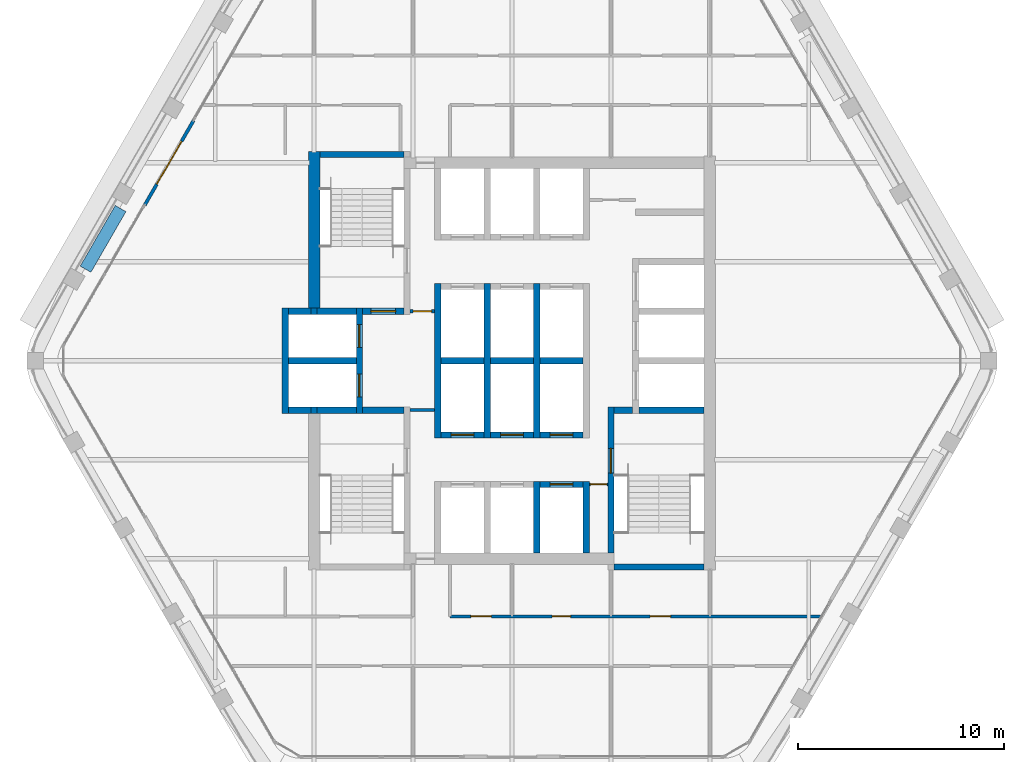
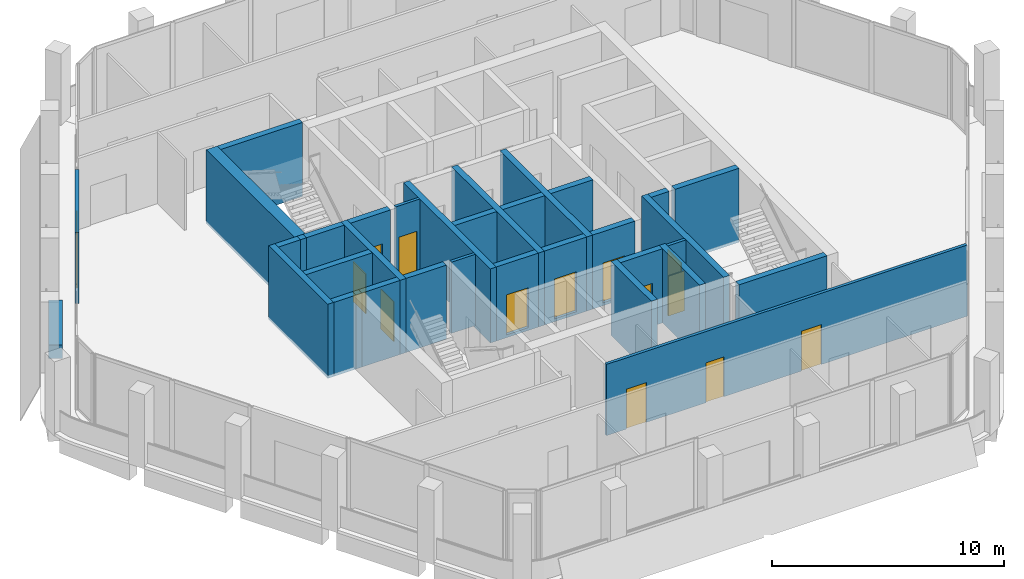
# One storey, part 8 of 14: 35 walls, 14 doors, 14 openings.
"""IFC4 building model written with IfcOpenShell, lengths in metres."""

from ifc_helpers import new_model, si_unit, direction, frame, frame_2d, origin, place, context, subcontext, project, spatial, rectangle, extrude, material, layer, layer_set, type_object, element, fill, save


model = new_model("IFC4")

# Units and contexts
model_context = context("Model", 3, precision=1e-05, world=origin(), true_north=direction((0.0, 1.0)))
body_context = subcontext(model_context, "Body", "Model", "MODEL_VIEW")
ifc_project = project(units=[si_unit("LENGTHUNIT", "METRE"), si_unit("AREAUNIT", "SQUARE_METRE"), si_unit("VOLUMEUNIT", "CUBIC_METRE"), si_unit("PLANEANGLEUNIT", "RADIAN"), si_unit("MASSUNIT", "GRAM", prefix="KILO")], contexts=[model_context])

# Site, building, storey
site_placement = place(None, origin())
site = spatial("IfcSite", under=ifc_project, at=site_placement, CompositionType="ELEMENT")
building_placement = place(site_placement, origin())
building = spatial("IfcBuilding", under=site, at=building_placement, Name="Kolab Exchange Tower", CompositionType="ELEMENT")
storey_placement = place(building_placement, frame((0.0, 0.0, 242.300048828125)))
storey = spatial("IfcBuildingStorey", under=building, at=storey_placement, Name="L53", CompositionType="ELEMENT", Elevation=242.300048828125)

# Wall
ifc_material_1 = material(Name="Concrete C50/60", Category="concrete")
ifc_layer_1 = layer(ifc_material_1, 0.550048828125)
ifc_layer_set_1 = layer_set([ifc_layer_1], Name="Concrete C50/60")
wall_type_1 = type_object("IfcWallType", Name="CORE WALL 550 C50/60", PredefinedType="SHEAR", material=ifc_layer_set_1)
wall_1_placement = place(storey_placement, frame((-9.60009765625, 2.550048828125, -0.150146484375), z_axis=(0.0, 0.0, 1.0), x_axis=(0.0, 1.0, 0.0)))
element("IfcWall", 1, at=wall_1_placement, inside=storey, type_object=wall_type_1, Name="wall/L53/core/037", PredefinedType="SHEAR", context=body_context, shape_type="SweptSolid", body=[
    extrude(rectangle(XDim=7.599853515625, YDim=0.550048828125, at=frame_2d((3.7998046875, 0.0))), origin(), (0.0, 0.0, 1.0), 3.900146484375),
])

# Wall, opening, door
ifc_material_2 = material(Name="Aluminium EN AW-6063 T6", Category="aluminium")
ifc_layer_2 = layer(ifc_material_2, 0.159912109375)
ifc_layer_set_2 = layer_set([ifc_layer_2], Name="Aluminium EN AW-6063 T6")
wall_type_2 = type_object("IfcWallType", Name="DOOR SURROUND WALL 160 ALUMINIUM FRAMED", PredefinedType="PARTITIONING", material=ifc_layer_set_2)
wall_2_placement = place(storey_placement, frame((-17.816650390625, 7.5498046875, 0.0), z_axis=(0.0, 0.0, 1.0), x_axis=(0.499978080042, 0.866038058908, 0.0)))
wall_2 = element("IfcWall", 2, at=wall_2_placement, inside=storey, type_object=wall_type_2, Name="Door surround wall", PredefinedType="PARTITIONING", context=body_context, shape_type="SweptSolid", body=[
    extrude(rectangle(XDim=4.739990234375, YDim=0.159912109375, at=frame_2d((2.3701171875, 0.0))), origin(), (0.0, 0.0, 1.0), 3.75),
])
opening_1_placement = place(wall_2_placement, frame((1.169921875, 0.0, 0.0)))
opening_1 = element("IfcOpeningElement", 3, at=opening_1_placement, cuts=wall_2, Name="Opening GD1-094", PredefinedType="OPENING", context=body_context, shape_type="SweptSolid", body=[
    extrude(rectangle(XDim=2.39990234375, YDim=2.39990234375, at=frame_2d((1.199951171875, 1.199951171875))), frame((0.0, 0.08984375, 0.0), z_axis=(0.0, -1.0, 0.0), x_axis=(1.0, 0.0, 0.0)), (0.0, 0.0, 1.0), 0.179931640625),
])
door_type_1 = type_object("IfcDoorType", Name="LOGGIA SLIDING GLASS DOOR 2400 X 2400", OperationType="DOUBLE_DOOR_SINGLE_SWING", PredefinedType="DOOR", material=ifc_material_2)
door_1_placement = place(opening_1_placement, origin())
door_1 = element("IfcDoor", 4, at=door_1_placement, inside=storey, type_object=door_type_1, Name="Loggia door", OperationType="DOUBLE_DOOR_SLIDING", OverallHeight=2.39990234375, OverallWidth=2.39990234375, PredefinedType="DOOR", context=body_context, shape_type="SweptSolid", body=[
    extrude(rectangle(XDim=2.39990234375, YDim=2.39990234375, at=frame_2d((1.199951171875, 1.199951171875))), frame((0.0, 0.02490234375, 0.0), z_axis=(0.0, -1.0, 0.0), x_axis=(1.0, 0.0, 0.0)), (0.0, 0.0, 1.0), 0.050048828125),
])
fill(opening_1, door_1)

ifc_layer_3 = layer(ifc_material_1, 0.300048828125)
ifc_layer_set_3 = layer_set([ifc_layer_3], Name="Concrete C50/60")
wall_type_3 = type_object("IfcWallType", Name="LIFT SHAFT WALL 300 C50/60", PredefinedType="STANDARD", material=ifc_layer_set_3)
wall_3_placement = place(storey_placement, frame((1.35009765625, -6.0, -0.150146484375), z_axis=(0.0, 0.0, 1.0), x_axis=(1.0, 0.0, 0.0)))
wall_3 = element("IfcWall", 5, at=wall_3_placement, inside=storey, type_object=wall_type_3, Name="wall/L53/core/005", PredefinedType="STANDARD", context=body_context, shape_type="SweptSolid", body=[
    extrude(rectangle(XDim=2.099853515625, YDim=0.300048828125, at=frame_2d((1.0498046875, 0.0))), origin(), (0.0, 0.0, 1.0), 3.900146484375),
])
opening_2_placement = place(wall_3_placement, frame((0.5, 0.0, 0.14990234375)))
opening_2 = element("IfcOpeningElement", 6, at=opening_2_placement, cuts=wall_3, Name="Opening LD1-112", PredefinedType="OPENING", context=body_context, shape_type="SweptSolid", body=[
    extrude(rectangle(XDim=1.10009765625, YDim=2.10009765625, at=frame_2d((0.550048828125, 1.050048828125))), frame((0.0, 0.16015625, 0.0), z_axis=(0.0, -1.0, 0.0), x_axis=(1.0, 0.0, 0.0)), (0.0, 0.0, 1.0), 0.320068359375),
])
ifc_material_3 = material(Name="Stainless steel 316", Category="steel")
door_type_2 = type_object("IfcDoorType", Name="LANDING DOOR 1100 PASSENGER", OperationType="DOUBLE_DOOR_SLIDING", PredefinedType="DOOR", material=ifc_material_3)
door_2_placement = place(opening_2_placement, origin())
door_2 = element("IfcDoor", 7, at=door_2_placement, inside=storey, type_object=door_type_2, Name="Landing door HR12", OperationType="DOUBLE_DOOR_SLIDING", OverallHeight=2.10009765625, OverallWidth=1.10009765625, PredefinedType="DOOR", context=body_context, shape_type="SweptSolid", body=[
    extrude(rectangle(XDim=1.10009765625, YDim=2.10009765625, at=frame_2d((0.550048828125, 1.050048828125))), frame((0.0, 0.02490234375, 0.0), z_axis=(0.0, -1.0, 0.0), x_axis=(1.0, 0.0, 0.0)), (0.0, 0.0, 1.0), 0.050048828125),
])
fill(opening_2, door_2)

wall_4_placement = place(storey_placement, frame((-3.449951171875, -3.60009765625, -0.150146484375), z_axis=(0.0, 0.0, 1.0), x_axis=(1.0, 0.0, 0.0)))
wall_4 = element("IfcWall", 8, at=wall_4_placement, inside=storey, type_object=wall_type_3, Name="wall/L53/core/006", PredefinedType="STANDARD", context=body_context, shape_type="SweptSolid", body=[
    extrude(rectangle(XDim=2.099853515625, YDim=0.300048828125, at=frame_2d((1.0498046875, 0.0))), origin(), (0.0, 0.0, 1.0), 3.900146484375),
])
opening_3_placement = place(wall_4_placement, frame((0.5, 0.0, 0.14990234375)))
opening_3 = element("IfcOpeningElement", 9, at=opening_3_placement, cuts=wall_4, Name="Opening LD1-118", PredefinedType="OPENING", context=body_context, shape_type="SweptSolid", body=[
    extrude(rectangle(XDim=1.10009765625, YDim=2.10009765625, at=frame_2d((0.550048828125, 1.050048828125))), frame((0.0, 0.16015625, 0.0), z_axis=(0.0, -1.0, 0.0), x_axis=(1.0, 0.0, 0.0)), (0.0, 0.0, 1.0), 0.320068359375),
])
door_3_placement = place(opening_3_placement, origin())
door_3 = element("IfcDoor", 10, at=door_3_placement, inside=storey, type_object=door_type_2, Name="Landing door HR7", OperationType="DOUBLE_DOOR_SLIDING", OverallHeight=2.10009765625, OverallWidth=1.10009765625, PredefinedType="DOOR", context=body_context, shape_type="SweptSolid", body=[
    extrude(rectangle(XDim=1.10009765625, YDim=2.10009765625, at=frame_2d((0.550048828125, 1.050048828125))), frame((0.0, 0.02490234375, 0.0), z_axis=(0.0, -1.0, 0.0), x_axis=(1.0, 0.0, 0.0)), (0.0, 0.0, 1.0), 0.050048828125),
])
fill(opening_3, door_3)

wall_5_placement = place(storey_placement, frame((-1.050048828125, -3.60009765625, -0.150146484375), z_axis=(0.0, 0.0, 1.0), x_axis=(1.0, 0.0, 0.0)))
wall_5 = element("IfcWall", 11, at=wall_5_placement, inside=storey, type_object=wall_type_3, Name="wall/L53/core/007", PredefinedType="STANDARD", context=body_context, shape_type="SweptSolid", body=[
    extrude(rectangle(XDim=2.10009765625, YDim=0.300048828125, at=frame_2d((1.050048828125, 0.0))), origin(), (0.0, 0.0, 1.0), 3.900146484375),
])
opening_4_placement = place(wall_5_placement, frame((0.5, 0.0, 0.14990234375)))
opening_4 = element("IfcOpeningElement", 12, at=opening_4_placement, cuts=wall_5, Name="Opening LD1-119", PredefinedType="OPENING", context=body_context, shape_type="SweptSolid", body=[
    extrude(rectangle(XDim=1.10009765625, YDim=2.10009765625, at=frame_2d((0.550048828125, 1.050048828125))), frame((0.0, 0.16015625, 0.0), z_axis=(0.0, -1.0, 0.0), x_axis=(1.0, 0.0, 0.0)), (0.0, 0.0, 1.0), 0.320068359375),
])
door_4_placement = place(opening_4_placement, origin())
door_4 = element("IfcDoor", 13, at=door_4_placement, inside=storey, type_object=door_type_2, Name="Landing door HR8", OperationType="DOUBLE_DOOR_SLIDING", OverallHeight=2.10009765625, OverallWidth=1.10009765625, PredefinedType="DOOR", context=body_context, shape_type="SweptSolid", body=[
    extrude(rectangle(XDim=1.10009765625, YDim=2.10009765625, at=frame_2d((0.550048828125, 1.050048828125))), frame((0.0, 0.02490234375, 0.0), z_axis=(0.0, -1.0, 0.0), x_axis=(1.0, 0.0, 0.0)), (0.0, 0.0, 1.0), 0.050048828125),
])
fill(opening_4, door_4)

wall_6_placement = place(storey_placement, frame((1.35009765625, -3.60009765625, -0.150146484375), z_axis=(0.0, 0.0, 1.0), x_axis=(1.0, 0.0, 0.0)))
wall_6 = element("IfcWall", 14, at=wall_6_placement, inside=storey, type_object=wall_type_3, Name="wall/L53/core/008", PredefinedType="STANDARD", context=body_context, shape_type="SweptSolid", body=[
    extrude(rectangle(XDim=2.099853515625, YDim=0.300048828125, at=frame_2d((1.0498046875, 0.0))), origin(), (0.0, 0.0, 1.0), 3.900146484375),
])
opening_5_placement = place(wall_6_placement, frame((0.5, 0.0, 0.14990234375)))
opening_5 = element("IfcOpeningElement", 15, at=opening_5_placement, cuts=wall_6, Name="Opening LD1-120", PredefinedType="OPENING", context=body_context, shape_type="SweptSolid", body=[
    extrude(rectangle(XDim=1.10009765625, YDim=2.10009765625, at=frame_2d((0.550048828125, 1.050048828125))), frame((0.0, 0.16015625, 0.0), z_axis=(0.0, -1.0, 0.0), x_axis=(1.0, 0.0, 0.0)), (0.0, 0.0, 1.0), 0.320068359375),
])
door_5_placement = place(opening_5_placement, origin())
door_5 = element("IfcDoor", 16, at=door_5_placement, inside=storey, type_object=door_type_2, Name="Landing door HR9", OperationType="DOUBLE_DOOR_SLIDING", OverallHeight=2.10009765625, OverallWidth=1.10009765625, PredefinedType="DOOR", context=body_context, shape_type="SweptSolid", body=[
    extrude(rectangle(XDim=1.10009765625, YDim=2.10009765625, at=frame_2d((0.550048828125, 1.050048828125))), frame((0.0, 0.02490234375, 0.0), z_axis=(0.0, -1.0, 0.0), x_axis=(1.0, 0.0, 0.0)), (0.0, 0.0, 1.0), 0.050048828125),
])
fill(opening_5, door_5)

# Walls
wall_7_placement = place(storey_placement, frame((-10.85009765625, -2.39990234375, -0.150146484375), z_axis=(0.0, 0.0, 1.0), x_axis=(1.0, 0.0, 0.0)))
element("IfcWall", 17, at=wall_7_placement, inside=storey, type_object=wall_type_3, Name="wall/L53/core/009", PredefinedType="STANDARD", context=body_context, shape_type="SweptSolid", body=[
    extrude(rectangle(XDim=1.10009765625, YDim=0.300048828125, at=frame_2d((0.550048828125, 0.0))), origin(), (0.0, 0.0, 1.0), 3.900146484375),
])
wall_8_placement = place(storey_placement, frame((-10.85009765625, 0.0, -0.150146484375), z_axis=(0.0, 0.0, 1.0), x_axis=(1.0, 0.0, 0.0)))
element("IfcWall", 18, at=wall_8_placement, inside=storey, type_object=wall_type_3, Name="wall/L53/core/014", PredefinedType="STANDARD", context=body_context, shape_type="SweptSolid", body=[
    extrude(rectangle(XDim=3.300048828125, YDim=0.300048828125, at=frame_2d((1.64990234375, 0.0))), origin(), (0.0, 0.0, 1.0), 3.900146484375),
])
wall_9_placement = place(storey_placement, frame((-3.449951171875, 0.0, -0.150146484375), z_axis=(0.0, 0.0, 1.0), x_axis=(1.0, 0.0, 0.0)))
element("IfcWall", 19, at=wall_9_placement, inside=storey, type_object=wall_type_3, Name="wall/L53/core/015", PredefinedType="STANDARD", context=body_context, shape_type="SweptSolid", body=[
    extrude(rectangle(XDim=2.099853515625, YDim=0.300048828125, at=frame_2d((1.0498046875, 0.0))), origin(), (0.0, 0.0, 1.0), 3.900146484375),
])
wall_10_placement = place(storey_placement, frame((-1.050048828125, 0.0, -0.150146484375), z_axis=(0.0, 0.0, 1.0), x_axis=(1.0, 0.0, 0.0)))
element("IfcWall", 20, at=wall_10_placement, inside=storey, type_object=wall_type_3, Name="wall/L53/core/016", PredefinedType="STANDARD", context=body_context, shape_type="SweptSolid", body=[
    extrude(rectangle(XDim=2.10009765625, YDim=0.300048828125, at=frame_2d((1.050048828125, 0.0))), origin(), (0.0, 0.0, 1.0), 3.900146484375),
])
wall_11_placement = place(storey_placement, frame((1.35009765625, 0.0, -0.150146484375), z_axis=(0.0, 0.0, 1.0), x_axis=(1.0, 0.0, 0.0)))
element("IfcWall", 21, at=wall_11_placement, inside=storey, type_object=wall_type_3, Name="wall/L53/core/017", PredefinedType="STANDARD", context=body_context, shape_type="SweptSolid", body=[
    extrude(rectangle(XDim=2.099853515625, YDim=0.300048828125, at=frame_2d((1.0498046875, 0.0))), origin(), (0.0, 0.0, 1.0), 3.900146484375),
])
wall_12_placement = place(storey_placement, frame((-10.85009765625, 2.39990234375, -0.150146484375), z_axis=(0.0, 0.0, 1.0), x_axis=(1.0, 0.0, 0.0)))
element("IfcWall", 22, at=wall_12_placement, inside=storey, type_object=wall_type_3, Name="wall/L53/core/019", PredefinedType="STANDARD", context=body_context, shape_type="SweptSolid", body=[
    extrude(rectangle(XDim=1.10009765625, YDim=0.300048828125, at=frame_2d((0.550048828125, 0.0))), origin(), (0.0, 0.0, 1.0), 3.900146484375),
])
wall_13_placement = place(storey_placement, frame((-11.0, -2.550048828125, -0.150146484375), z_axis=(0.0, 0.0, 1.0), x_axis=(0.0, 1.0, 0.0)))
element("IfcWall", 23, at=wall_13_placement, inside=storey, type_object=wall_type_3, Name="wall/L53/core/033", PredefinedType="STANDARD", context=body_context, shape_type="SweptSolid", body=[
    extrude(rectangle(XDim=5.10009765625, YDim=0.300048828125, at=frame_2d((2.550048828125, 0.0))), origin(), (0.0, 0.0, 1.0), 3.900146484375),
])

# Wall, openings, doors
wall_14_placement = place(storey_placement, frame((-7.39990234375, -2.550048828125, -0.150146484375), z_axis=(0.0, 0.0, 1.0), x_axis=(0.0, 1.0, 0.0)))
wall_14 = element("IfcWall", 24, at=wall_14_placement, inside=storey, type_object=wall_type_3, Name="wall/L53/core/038", PredefinedType="STANDARD", context=body_context, shape_type="SweptSolid", body=[
    extrude(rectangle(XDim=5.10009765625, YDim=0.300048828125, at=frame_2d((2.550048828125, 0.0))), origin(), (0.0, 0.0, 1.0), 3.900146484375),
])
opening_6_placement = place(wall_14_placement, frame((0.800048828125, 0.0, 0.14990234375)))
opening_6 = element("IfcOpeningElement", 25, at=opening_6_placement, cuts=wall_14, Name="Opening LD2-025", PredefinedType="OPENING", context=body_context, shape_type="SweptSolid", body=[
    extrude(rectangle(XDim=1.10009765625, YDim=2.10009765625, at=frame_2d((0.550048828125, 1.050048828125))), frame((0.0, 0.16015625, 0.0), z_axis=(0.0, -1.0, 0.0), x_axis=(1.0, 0.0, 0.0)), (0.0, 0.0, 1.0), 0.320068359375),
])
opening_7_placement = place(wall_14_placement, frame((3.199951171875, 0.0, 0.14990234375)))
opening_7 = element("IfcOpeningElement", 26, at=opening_7_placement, cuts=wall_14, Name="Opening LD2-026", PredefinedType="OPENING", context=body_context, shape_type="SweptSolid", body=[
    extrude(rectangle(XDim=1.10009765625, YDim=2.10009765625, at=frame_2d((0.550048828125, 1.050048828125))), frame((0.0, 0.16015625, 0.0), z_axis=(0.0, -1.0, 0.0), x_axis=(1.0, 0.0, 0.0)), (0.0, 0.0, 1.0), 0.320068359375),
])
door_type_3 = type_object("IfcDoorType", Name="LANDING DOOR 1100 FIREFIGHTING", OperationType="DOUBLE_DOOR_SLIDING", PredefinedType="DOOR", material=ifc_material_3)
door_6_placement = place(opening_6_placement, origin())
door_6 = element("IfcDoor", 27, at=door_6_placement, inside=storey, type_object=door_type_3, Name="Landing door FF1", OperationType="DOUBLE_DOOR_SLIDING", OverallHeight=2.10009765625, OverallWidth=1.10009765625, PredefinedType="DOOR", context=body_context, shape_type="SweptSolid", body=[
    extrude(rectangle(XDim=1.10009765625, YDim=2.10009765625, at=frame_2d((0.550048828125, 1.050048828125))), frame((0.0, 0.02490234375, 0.0), z_axis=(0.0, -1.0, 0.0), x_axis=(1.0, 0.0, 0.0)), (0.0, 0.0, 1.0), 0.050048828125),
])
fill(opening_6, door_6)
door_7_placement = place(opening_7_placement, origin())
door_7 = element("IfcDoor", 28, at=door_7_placement, inside=storey, type_object=door_type_3, Name="Landing door FF2", OperationType="DOUBLE_DOOR_SLIDING", OverallHeight=2.10009765625, OverallWidth=1.10009765625, PredefinedType="DOOR", context=body_context, shape_type="SweptSolid", body=[
    extrude(rectangle(XDim=1.10009765625, YDim=2.10009765625, at=frame_2d((0.550048828125, 1.050048828125))), frame((0.0, 0.02490234375, 0.0), z_axis=(0.0, -1.0, 0.0), x_axis=(1.0, 0.0, 0.0)), (0.0, 0.0, 1.0), 0.050048828125),
])
fill(opening_7, door_7)

# Walls
for number, where, z_axis, x_axis, name in (
    (29, (-3.60009765625, -3.75, -0.150146484375), (0.0, 0.0, 1.0), (0.0, 1.0, 0.0), "wall/L53/core/044"),
    (30, (-1.199951171875, -3.75, -0.150146484375), (0.0, 0.0, 1.0), (0.0, 1.0, 0.0), "wall/L53/core/047"),
):
    element("IfcWall", number, at=place(storey_placement, frame(where, z_axis=z_axis, x_axis=x_axis)), inside=storey, type_object=wall_type_3, Name=name, PredefinedType="STANDARD", context=body_context, shape_type="SweptSolid", body=[
        extrude(rectangle(XDim=7.5, YDim=0.300048828125, at=frame_2d((3.75, 0.0))), origin(), (0.0, 0.0, 1.0), 3.900146484375),
    ])
wall_15_placement = place(storey_placement, frame((1.199951171875, -9.324951171875, -0.150146484375), z_axis=(0.0, 0.0, 1.0), x_axis=(0.0, 1.0, 0.0)))
element("IfcWall", 31, at=wall_15_placement, inside=storey, type_object=wall_type_3, Name="wall/L53/core/049", PredefinedType="STANDARD", context=body_context, shape_type="SweptSolid", body=[
    extrude(rectangle(XDim=3.474853515625, YDim=0.300048828125, at=frame_2d((1.7373046875, 0.0))), origin(), (0.0, 0.0, 1.0), 3.900146484375),
])
wall_16_placement = place(storey_placement, frame((1.199951171875, -3.75, -0.150146484375), z_axis=(0.0, 0.0, 1.0), x_axis=(0.0, 1.0, 0.0)))
element("IfcWall", 32, at=wall_16_placement, inside=storey, type_object=wall_type_3, Name="wall/L53/core/050", PredefinedType="STANDARD", context=body_context, shape_type="SweptSolid", body=[
    extrude(rectangle(XDim=7.5, YDim=0.300048828125, at=frame_2d((3.75, 0.0))), origin(), (0.0, 0.0, 1.0), 3.900146484375),
])
wall_17_placement = place(storey_placement, frame((3.60009765625, -9.324951171875, -0.150146484375), z_axis=(0.0, 0.0, 1.0), x_axis=(0.0, 1.0, 0.0)))
element("IfcWall", 33, at=wall_17_placement, inside=storey, type_object=wall_type_3, Name="wall/L53/core/052", PredefinedType="STANDARD", context=body_context, shape_type="SweptSolid", body=[
    extrude(rectangle(XDim=3.474853515625, YDim=0.300048828125, at=frame_2d((1.7373046875, 0.0))), origin(), (0.0, 0.0, 1.0), 3.900146484375),
])

# Wall, openings, doors
ifc_material_4 = material(Name="Gypsum board", Category="gypsum")
ifc_layer_4 = layer(ifc_material_4, 0.14990234375)
ifc_layer_set_4 = layer_set([ifc_layer_4], Name="Gypsum board")
wall_type_4 = type_object("IfcWallType", Name="PARTITION 150 FIRE-RATED", PredefinedType="PARTITIONING", material=ifc_layer_set_4)
wall_18_placement = place(storey_placement, frame((-3.0, -12.39990234375, 0.0), z_axis=(0.0, 0.0, 1.0), x_axis=(1.0, 0.0, 0.0)))
wall_18 = element("IfcWall", 34, at=wall_18_placement, inside=storey, type_object=wall_type_4, Name="Partition 021", PredefinedType="PARTITIONING", context=body_context, shape_type="SweptSolid", body=[
    extrude(rectangle(XDim=17.97021484375, YDim=0.14990234375, at=frame_2d((8.985107421875, 0.0))), origin(), (0.0, 0.0, 1.0), 3.75),
])
opening_8_placement = place(wall_18_placement, frame((1.0, 0.0, 0.0)))
opening_8 = element("IfcOpeningElement", 35, at=opening_8_placement, cuts=wall_18, Name="Opening D1-675", PredefinedType="OPENING", context=body_context, shape_type="SweptSolid", body=[
    extrude(rectangle(XDim=1.0, YDim=2.10009765625, at=frame_2d((0.5, 1.050048828125))), frame((0.0, 0.0849609375, 0.0), z_axis=(0.0, -1.0, 0.0), x_axis=(1.0, 0.0, 0.0)), (0.0, 0.0, 1.0), 0.169921875),
])
opening_9_placement = place(wall_18_placement, frame((4.949951171875, 0.0, 0.0)))
opening_9 = element("IfcOpeningElement", 36, at=opening_9_placement, cuts=wall_18, Name="Opening D3-080", PredefinedType="OPENING", context=body_context, shape_type="SweptSolid", body=[
    extrude(rectangle(XDim=0.89990234375, YDim=2.10009765625, at=frame_2d((0.449951171875, 1.050048828125))), frame((0.0, 0.0849609375, 0.0), z_axis=(0.0, -1.0, 0.0), x_axis=(1.0, 0.0, 0.0)), (0.0, 0.0, 1.0), 0.169921875),
])
opening_10_placement = place(wall_18_placement, frame((9.699951171875, 0.0, 0.0)))
opening_10 = element("IfcOpeningElement", 37, at=opening_10_placement, cuts=wall_18, Name="Opening D1-676", PredefinedType="OPENING", context=body_context, shape_type="SweptSolid", body=[
    extrude(rectangle(XDim=1.0, YDim=2.10009765625, at=frame_2d((0.5, 1.050048828125))), frame((0.0, 0.0849609375, 0.0), z_axis=(0.0, -1.0, 0.0), x_axis=(1.0, 0.0, 0.0)), (0.0, 0.0, 1.0), 0.169921875),
])
ifc_material_5 = material(Name="Steel S235", Category="steel")
door_type_4 = type_object("IfcDoorType", Name="FLUSH DOOR 1000 FD60", OperationType="SINGLE_SWING_LEFT", PredefinedType="DOOR", material=ifc_material_5)
door_8_placement = place(opening_8_placement, origin())
door_8 = element("IfcDoor", 38, at=door_8_placement, inside=storey, type_object=door_type_4, Name="Door L53-035", OperationType="SINGLE_SWING_LEFT", OverallHeight=2.10009765625, OverallWidth=1.0, PredefinedType="DOOR", context=body_context, shape_type="SweptSolid", body=[
    extrude(rectangle(XDim=1.0, YDim=2.10009765625, at=frame_2d((0.5, 1.050048828125))), frame((0.0, 0.02490234375, 0.0), z_axis=(0.0, -1.0, 0.0), x_axis=(1.0, 0.0, 0.0)), (0.0, 0.0, 1.0), 0.050048828125),
])
fill(opening_8, door_8)
door_9_placement = place(opening_10_placement, origin())
door_9 = element("IfcDoor", 39, at=door_9_placement, inside=storey, type_object=door_type_4, Name="Door L53-037", OperationType="SINGLE_SWING_LEFT", OverallHeight=2.10009765625, OverallWidth=1.0, PredefinedType="DOOR", context=body_context, shape_type="SweptSolid", body=[
    extrude(rectangle(XDim=1.0, YDim=2.10009765625, at=frame_2d((0.5, 1.050048828125))), frame((0.0, 0.02490234375, 0.0), z_axis=(0.0, -1.0, 0.0), x_axis=(1.0, 0.0, 0.0)), (0.0, 0.0, 1.0), 0.050048828125),
])
fill(opening_10, door_9)
door_type_5 = type_object("IfcDoorType", Name="FLUSH DOOR 900 FD60", OperationType="SINGLE_SWING_LEFT", PredefinedType="DOOR", material=ifc_material_5)
door_10_placement = place(opening_9_placement, origin())
door_10 = element("IfcDoor", 40, at=door_10_placement, inside=storey, type_object=door_type_5, Name="Door L53-036", OperationType="SINGLE_SWING_RIGHT", OverallHeight=2.10009765625, OverallWidth=0.89990234375, PredefinedType="DOOR", context=body_context, shape_type="SweptSolid", body=[
    extrude(rectangle(XDim=0.89990234375, YDim=2.10009765625, at=frame_2d((0.449951171875, 1.050048828125))), frame((0.0, 0.02490234375, 0.0), z_axis=(0.0, -1.0, 0.0), x_axis=(1.0, 0.0, 0.0)), (0.0, 0.0, 1.0), 0.050048828125),
])
fill(opening_9, door_10)

# Wall, opening, door
wall_19_placement = place(storey_placement, frame((3.75, -6.0, 0.0), z_axis=(0.0, 0.0, 1.0), x_axis=(1.0, 0.0, 0.0)))
wall_19 = element("IfcWall", 41, at=wall_19_placement, inside=storey, type_object=wall_type_4, Name="Partition 022", PredefinedType="PARTITIONING", context=body_context, shape_type="SweptSolid", body=[
    extrude(rectangle(XDim=0.89990234375, YDim=0.14990234375, at=frame_2d((0.449951171875, 0.0))), origin(), (0.0, 0.0, 1.0), 3.75),
])
opening_11_placement = place(wall_19_placement, frame((0.050048828125, 0.0, 0.0)))
opening_11 = element("IfcOpeningElement", 42, at=opening_11_placement, cuts=wall_19, Name="Opening D7-041", PredefinedType="OPENING", context=body_context, shape_type="SweptSolid", body=[
    extrude(rectangle(XDim=0.800048828125, YDim=2.10009765625, at=frame_2d((0.39990234375, 1.050048828125))), frame((0.0, 0.0849609375, 0.0), z_axis=(0.0, -1.0, 0.0), x_axis=(1.0, 0.0, 0.0)), (0.0, 0.0, 1.0), 0.169921875),
])
door_type_6 = type_object("IfcDoorType", Name="FLUSH DOOR 800 FD60", OperationType="SINGLE_SWING_LEFT", PredefinedType="DOOR", material=ifc_material_5)
door_11_placement = place(opening_11_placement, frame((0.800048828125, 0.0, 0.0), z_axis=(0.0, 0.0, 1.0), x_axis=(-1.0, 0.0, 0.0)))
door_11 = element("IfcDoor", 43, at=door_11_placement, inside=storey, type_object=door_type_6, Name="Door L53-024", OperationType="SINGLE_SWING_RIGHT", OverallHeight=2.10009765625, OverallWidth=0.800048828125, PredefinedType="DOOR", context=body_context, shape_type="SweptSolid", body=[
    extrude(rectangle(XDim=0.800048828125, YDim=2.10009765625, at=frame_2d((0.39990234375, 1.050048828125))), frame((0.0, 0.02490234375, 0.0), z_axis=(0.0, -1.0, 0.0), x_axis=(1.0, 0.0, 0.0)), (0.0, 0.0, 1.0), 0.050048828125),
])
fill(opening_11, door_11)

wall_20_placement = place(storey_placement, frame((-4.949951171875, 2.39990234375, 0.0), z_axis=(0.0, 0.0, 1.0), x_axis=(1.0, 0.0, 0.0)))
wall_20 = element("IfcWall", 44, at=wall_20_placement, inside=storey, type_object=wall_type_4, Name="Fire partition", PredefinedType="PARTITIONING", context=body_context, shape_type="SweptSolid", body=[
    extrude(rectangle(XDim=1.199951171875, YDim=0.14990234375, at=frame_2d((0.60009765625, 0.0))), origin(), (0.0, 0.0, 1.0), 3.75),
])
opening_12_placement = place(wall_20_placement, frame((0.14990234375, 0.0, 0.0)))
opening_12 = element("IfcOpeningElement", 45, at=opening_12_placement, cuts=wall_20, Name="Opening D6-288", PredefinedType="OPENING", context=body_context, shape_type="SweptSolid", body=[
    extrude(rectangle(XDim=0.89990234375, YDim=2.10009765625, at=frame_2d((0.449951171875, 1.050048828125))), frame((0.0, 0.0849609375, 0.0), z_axis=(0.0, -1.0, 0.0), x_axis=(1.0, 0.0, 0.0)), (0.0, 0.0, 1.0), 0.169921875),
])
door_type_7 = type_object("IfcDoorType", Name="CORE DOOR 900 EI 120", OperationType="SINGLE_SWING_LEFT", PredefinedType="DOOR", material=ifc_material_5)
door_12_placement = place(opening_12_placement, frame((0.89990234375, 0.0, 0.0), z_axis=(0.0, 0.0, 1.0), x_axis=(-1.0, 0.0, 0.0)))
door_12 = element("IfcDoor", 46, at=door_12_placement, inside=storey, type_object=door_type_7, Name="Firefighting lobby door", OperationType="SINGLE_SWING_RIGHT", OverallHeight=2.10009765625, OverallWidth=0.89990234375, PredefinedType="DOOR", context=body_context, shape_type="SweptSolid", body=[
    extrude(rectangle(XDim=0.89990234375, YDim=2.10009765625, at=frame_2d((0.449951171875, 1.050048828125))), frame((0.0, 0.02490234375, 0.0), z_axis=(0.0, -1.0, 0.0), x_axis=(1.0, 0.0, 0.0)), (0.0, 0.0, 1.0), 0.050048828125),
])
fill(opening_12, door_12)

# Walls
wall_21_placement = place(storey_placement, frame((-4.949951171875, -2.39990234375, 0.0), z_axis=(0.0, 0.0, 1.0), x_axis=(1.0, 0.0, 0.0)))
element("IfcWall", 47, at=wall_21_placement, inside=storey, type_object=wall_type_4, Name="Fire partition", PredefinedType="PARTITIONING", context=body_context, shape_type="SweptSolid", body=[
    extrude(rectangle(XDim=1.199951171875, YDim=0.14990234375, at=frame_2d((0.60009765625, 0.0))), origin(), (0.0, 0.0, 1.0), 3.75),
])
ifc_material_6 = material(Name="Granite facing", Category="masonry")
ifc_layer_5 = layer(ifc_material_6, 0.0400390625)
ifc_material_7 = material(Name="Concrete C40/50 precast", Category="concrete")
ifc_layer_6 = layer(ifc_material_7, 0.56005859375)
ifc_layer_set_5 = layer_set([ifc_layer_5, ifc_layer_6], Name="Concrete C40/50 precast")
wall_type_5 = type_object("IfcWallType", Name="PLANTER BOX 600 X 700 SOIL DEPTH 550", PredefinedType="USERDEFINED", material=ifc_layer_set_5)
wall_22_placement = place(storey_placement, frame((-20.68701171875, 4.438232421875, 0.0), z_axis=(0.0, 0.0, 1.0), x_axis=(0.500008388397, 0.866020560687, 0.0)))
element("IfcWall", 48, at=wall_22_placement, inside=storey, type_object=wall_type_5, Name="Planter", ObjectType="PLANTER", PredefinedType="USERDEFINED", context=body_context, shape_type="SweptSolid", body=[
    extrude(rectangle(XDim=3.39990234375, YDim=0.60009765625, at=frame_2d((1.699951171875, 0.0))), origin(), (0.0, 0.0, 1.0), 0.699951171875),
])
ifc_layer_7 = layer(ifc_material_1, 0.300048828125)
ifc_layer_set_6 = layer_set([ifc_layer_7], Name="Concrete C50/60")
wall_type_6 = type_object("IfcWallType", Name="STAIR ENCLOSURE WALL 300 C50/60", PredefinedType="STANDARD", material=ifc_layer_set_6)
wall_23_placement = place(storey_placement, frame((4.949951171875, -10.0, -0.150146484375), z_axis=(0.0, 0.0, 1.0), x_axis=(1.0, 0.0, 0.0)))
element("IfcWall", 49, at=wall_23_placement, inside=storey, type_object=wall_type_6, Name="wall/L53/core/001", PredefinedType="STANDARD", context=body_context, shape_type="SweptSolid", body=[
    extrude(rectangle(XDim=4.375, YDim=0.300048828125, at=frame_2d((2.1875, 0.0))), origin(), (0.0, 0.0, 1.0), 3.900146484375),
])
wall_24_placement = place(storey_placement, frame((-9.449951171875, -2.39990234375, -0.150146484375), z_axis=(0.0, 0.0, 1.0), x_axis=(1.0, 0.0, 0.0)))
element("IfcWall", 50, at=wall_24_placement, inside=storey, type_object=wall_type_6, Name="wall/L53/core/010", PredefinedType="STANDARD", context=body_context, shape_type="SweptSolid", body=[
    extrude(rectangle(XDim=1.89990234375, YDim=0.300048828125, at=frame_2d((0.949951171875, 0.0))), origin(), (0.0, 0.0, 1.0), 3.900146484375),
])
wall_25_placement = place(storey_placement, frame((-7.25, -2.39990234375, -0.150146484375), z_axis=(0.0, 0.0, 1.0), x_axis=(1.0, 0.0, 0.0)))
element("IfcWall", 51, at=wall_25_placement, inside=storey, type_object=wall_type_6, Name="wall/L53/core/011", PredefinedType="STANDARD", context=body_context, shape_type="SweptSolid", body=[
    extrude(rectangle(XDim=2.0, YDim=0.300048828125, at=frame_2d((1.0, 0.0))), origin(), (0.0, 0.0, 1.0), 3.900146484375),
])
wall_26_placement = place(storey_placement, frame((4.949951171875, -2.39990234375, -0.150146484375), z_axis=(0.0, 0.0, 1.0), x_axis=(1.0, 0.0, 0.0)))
element("IfcWall", 52, at=wall_26_placement, inside=storey, type_object=wall_type_6, Name="wall/L53/core/012", PredefinedType="STANDARD", context=body_context, shape_type="SweptSolid", body=[
    extrude(rectangle(XDim=0.900146484375, YDim=0.300048828125, at=frame_2d((0.4501953125, 0.0))), origin(), (0.0, 0.0, 1.0), 3.900146484375),
])
wall_27_placement = place(storey_placement, frame((6.14990234375, -2.39990234375, -0.150146484375), z_axis=(0.0, 0.0, 1.0), x_axis=(1.0, 0.0, 0.0)))
element("IfcWall", 53, at=wall_27_placement, inside=storey, type_object=wall_type_6, Name="wall/L53/core/013", PredefinedType="STANDARD", context=body_context, shape_type="SweptSolid", body=[
    extrude(rectangle(XDim=3.175048828125, YDim=0.300048828125, at=frame_2d((1.58740234375, 0.0))), origin(), (0.0, 0.0, 1.0), 3.900146484375),
])
wall_28_placement = place(storey_placement, frame((-9.449951171875, 2.39990234375, -0.150146484375), z_axis=(0.0, 0.0, 1.0), x_axis=(1.0, 0.0, 0.0)))
element("IfcWall", 54, at=wall_28_placement, inside=storey, type_object=wall_type_6, Name="wall/L53/core/020", PredefinedType="STANDARD", context=body_context, shape_type="SweptSolid", body=[
    extrude(rectangle(XDim=1.89990234375, YDim=0.300048828125, at=frame_2d((0.949951171875, 0.0))), origin(), (0.0, 0.0, 1.0), 3.900146484375),
])

# Wall, opening, door
wall_29_placement = place(storey_placement, frame((-7.25, 2.39990234375, -0.150146484375), z_axis=(0.0, 0.0, 1.0), x_axis=(1.0, 0.0, 0.0)))
wall_29 = element("IfcWall", 55, at=wall_29_placement, inside=storey, type_object=wall_type_6, Name="wall/L53/core/021", PredefinedType="STANDARD", context=body_context, shape_type="SweptSolid", body=[
    extrude(rectangle(XDim=2.0, YDim=0.300048828125, at=frame_2d((1.0, 0.0))), origin(), (0.0, 0.0, 1.0), 3.900146484375),
])
opening_13_placement = place(wall_29_placement, frame((0.39990234375, 0.0, 0.14990234375)))
opening_13 = element("IfcOpeningElement", 56, at=opening_13_placement, cuts=wall_29, Name="Opening D4-065", PredefinedType="OPENING", context=body_context, shape_type="SweptSolid", body=[
    extrude(rectangle(XDim=1.199951171875, YDim=2.10009765625, at=frame_2d((0.60009765625, 1.050048828125))), frame((0.0, 0.16015625, 0.0), z_axis=(0.0, -1.0, 0.0), x_axis=(1.0, 0.0, 0.0)), (0.0, 0.0, 1.0), 0.320068359375),
])
door_type_8 = type_object("IfcDoorType", Name="STAIR DOOR 1200 EI 120", OperationType="SINGLE_SWING_LEFT", PredefinedType="DOOR", material=ifc_material_5)
door_13_placement = place(opening_13_placement, origin())
door_13 = element("IfcDoor", 57, at=door_13_placement, inside=storey, type_object=door_type_8, Name="Stair 1 door", OperationType="SINGLE_SWING_RIGHT", OverallHeight=2.10009765625, OverallWidth=1.199951171875, PredefinedType="DOOR", context=body_context, shape_type="SweptSolid", body=[
    extrude(rectangle(XDim=1.199951171875, YDim=2.10009765625, at=frame_2d((0.60009765625, 1.050048828125))), frame((0.0, 0.02490234375, 0.0), z_axis=(0.0, -1.0, 0.0), x_axis=(1.0, 0.0, 0.0)), (0.0, 0.0, 1.0), 0.050048828125),
])
fill(opening_13, door_13)

# Walls
wall_30_placement = place(storey_placement, frame((-9.324951171875, 10.0, -0.150146484375), z_axis=(0.0, 0.0, 1.0), x_axis=(1.0, 0.0, 0.0)))
element("IfcWall", 58, at=wall_30_placement, inside=storey, type_object=wall_type_6, Name="wall/L53/core/032", PredefinedType="STANDARD", context=body_context, shape_type="SweptSolid", body=[
    extrude(rectangle(XDim=4.074951171875, YDim=0.300048828125, at=frame_2d((2.03759765625, 0.0))), origin(), (0.0, 0.0, 1.0), 3.900146484375),
])
for number, where, z_axis, x_axis, name in (
    (59, (-9.60009765625, -2.550048828125, -0.150146484375), (0.0, 0.0, 1.0), (0.0, 1.0, 0.0), "wall/L53/core/035"),
    (60, (-9.60009765625, 2.25, -0.150146484375), (0.0, 0.0, 1.0), (0.0, 1.0, 0.0), "wall/L53/core/036"),
):
    element("IfcWall", number, at=place(storey_placement, frame(where, z_axis=z_axis, x_axis=x_axis)), inside=storey, type_object=wall_type_6, Name=name, PredefinedType="STANDARD", context=body_context, shape_type="SweptSolid", body=[
        extrude(rectangle(XDim=0.300048828125, YDim=0.300048828125, at=frame_2d((0.14990234375, 0.0))), origin(), (0.0, 0.0, 1.0), 3.900146484375),
    ])

# Wall, opening, door
wall_31_placement = place(storey_placement, frame((4.800048828125, -9.324951171875, -0.150146484375), z_axis=(0.0, 0.0, 1.0), x_axis=(0.0, 1.0, 0.0)))
wall_31 = element("IfcWall", 61, at=wall_31_placement, inside=storey, type_object=wall_type_6, Name="wall/L53/core/056", PredefinedType="STANDARD", context=body_context, shape_type="SweptSolid", body=[
    extrude(rectangle(XDim=7.074951171875, YDim=0.300048828125, at=frame_2d((3.53759765625, 0.0))), origin(), (0.0, 0.0, 1.0), 3.900146484375),
])
opening_14_placement = place(wall_31_placement, frame((3.875, 0.0, 0.14990234375)))
opening_14 = element("IfcOpeningElement", 62, at=opening_14_placement, cuts=wall_31, Name="Opening D4-077", PredefinedType="OPENING", context=body_context, shape_type="SweptSolid", body=[
    extrude(rectangle(XDim=1.199951171875, YDim=2.10009765625, at=frame_2d((0.60009765625, 1.050048828125))), frame((0.0, 0.16015625, 0.0), z_axis=(0.0, -1.0, 0.0), x_axis=(1.0, 0.0, 0.0)), (0.0, 0.0, 1.0), 0.320068359375),
])
door_14_placement = place(opening_14_placement, frame((1.199951171875, 0.0, 0.0), z_axis=(0.0, 0.0, 1.0), x_axis=(-1.0, 0.0, 0.0)))
door_14 = element("IfcDoor", 63, at=door_14_placement, inside=storey, type_object=door_type_8, Name="Stair 2 door", OperationType="SINGLE_SWING_RIGHT", OverallHeight=2.10009765625, OverallWidth=1.199951171875, PredefinedType="DOOR", context=body_context, shape_type="SweptSolid", body=[
    extrude(rectangle(XDim=1.199951171875, YDim=2.10009765625, at=frame_2d((0.60009765625, 1.050048828125))), frame((0.0, 0.02490234375, 0.0), z_axis=(0.0, -1.0, 0.0), x_axis=(1.0, 0.0, 0.0)), (0.0, 0.0, 1.0), 0.050048828125),
])
fill(opening_14, door_14)

save(model, "model.ifc")
